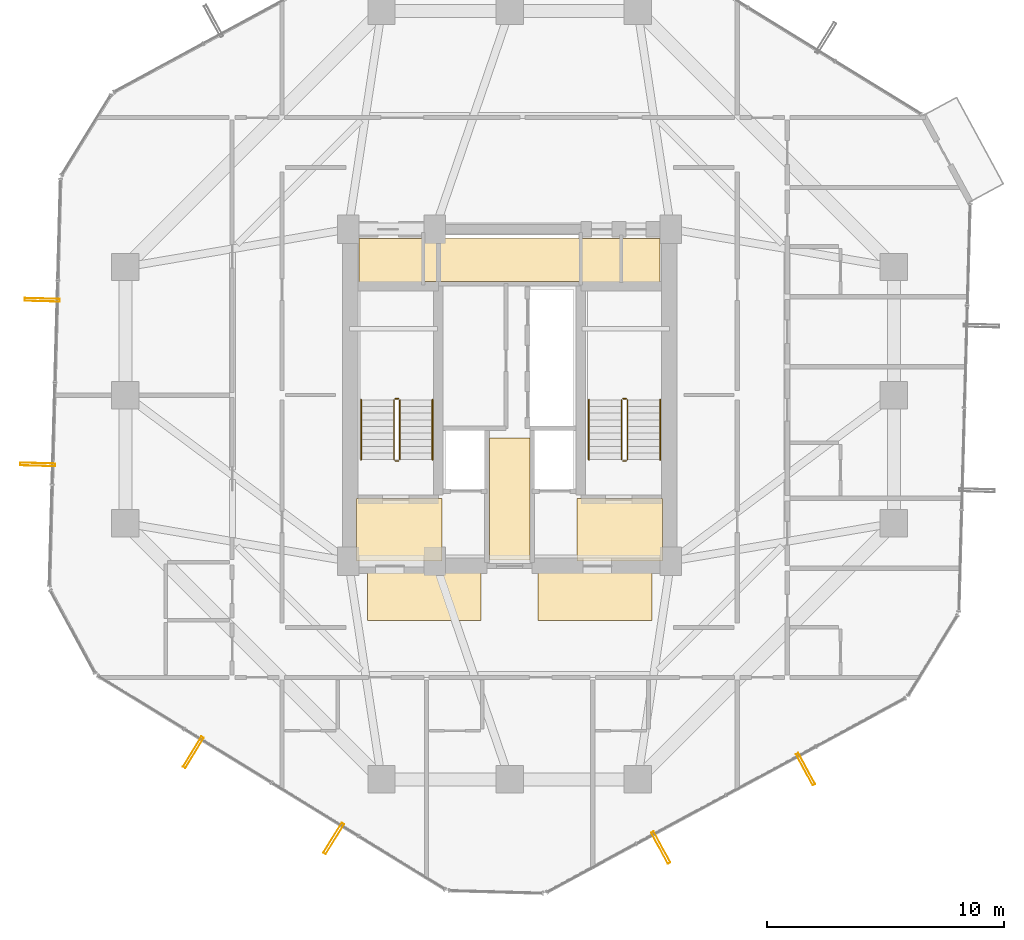
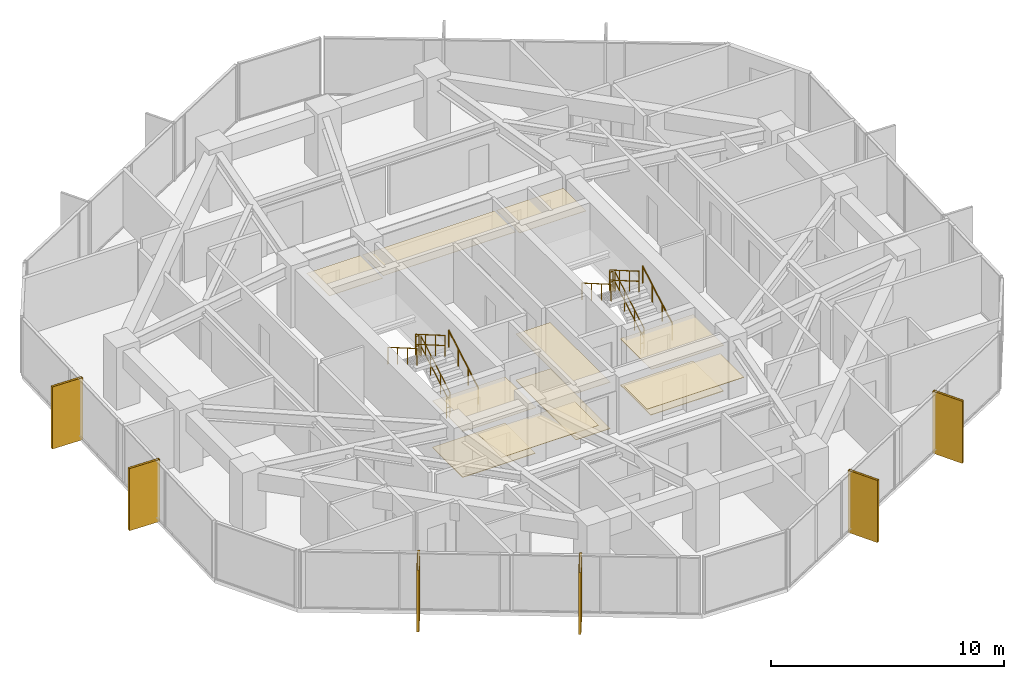
# One storey, part 29 of 30: 12 railings, 11 coverings, 6 shading devices.
"""IFC4 building model written with IfcOpenShell, lengths in metres."""

from ifc_helpers import new_model, si_unit, direction, frame, origin, origin_2d, place, context, subcontext, project, spatial, polyline, hollow_rectangle, circle, outline, extrude, material, layer, layer_set, material_profile, profile_set, type_object, element, save


model = new_model("IFC4")

# Units and contexts
model_context = context("Model", 3, precision=1e-05, world=origin(), true_north=direction((0.0, 1.0)))
body_context = subcontext(model_context, "Body", "Model", "MODEL_VIEW")
ifc_project = project(units=[si_unit("LENGTHUNIT", "METRE"), si_unit("AREAUNIT", "SQUARE_METRE"), si_unit("VOLUMEUNIT", "CUBIC_METRE"), si_unit("PLANEANGLEUNIT", "RADIAN"), si_unit("MASSUNIT", "GRAM", prefix="KILO")], contexts=[model_context])

# Site, building, storey
site_placement = place(None, origin())
site = spatial("IfcSite", under=ifc_project, at=site_placement, CompositionType="ELEMENT")
building_placement = place(site_placement, origin())
building = spatial("IfcBuilding", under=site, at=building_placement, Name="Veraguas Prism Commons", CompositionType="ELEMENT")
storey_placement = place(building_placement, frame((0.0, 0.0, 123.0)))
storey = spatial("IfcBuildingStorey", under=building, at=storey_placement, Name="L34", CompositionType="ELEMENT", Elevation=123.0)

# Shading devices
ifc_material_1 = material(Name="Anodised aluminium EN AW-6063 T6", Category="aluminium")
ifc_material_profile = material_profile(ifc_material_1, hollow_rectangle(XDim=0.1201171875, YDim=1.489990234375, WallThickness=0.006103515625, at=origin_2d()), Name="FIN120X1490X6")
ifc_profile_set = profile_set([ifc_material_profile], Name="Anodised aluminium EN AW-6063 T6")
shading_device_type = type_object("IfcShadingDeviceType", Name="Deep Pale-Metal Vertical Solar Fin 120x1490", PredefinedType="USERDEFINED", material=ifc_profile_set)
for number, where, z_axis, x_axis, name in (
    (1, (4.2958984375, 28.015625, -0.22998046875), (0.0, 0.0, 1.0), (-0.027572707275, -0.999619800631, 0.0), "Vertical Pale-Metal Solar Fin L34-F3A"),
    (2, (4.1044921875, 21.07666015625, -0.22998046875), (0.0, 0.0, 1.0), (-0.027572707275, -0.999619800631, 0.0), "Vertical Pale-Metal Solar Fin L34-F3B"),
    (3, (10.670166015625, 8.943603515625, -0.22998046875), (0.0, 0.0, 1.0), (0.851908873825, -0.523690052129, 0.0), "Vertical Pale-Metal Solar Fin L34-F4A"),
    (4, (16.583984375, 5.30810546875, -0.22998046875), (0.0, 0.0, 1.0), (0.851908873825, -0.523690052129, 0.0), "Vertical Pale-Metal Solar Fin L34-F4B"),
    (5, (30.37451171875, 4.927734375, -0.22998046875), (0.0, 0.0, 1.0), (0.87948249511, 0.475931235364, 0.0), "Vertical Pale-Metal Solar Fin L34-F5A"),
    (6, (36.4794921875, 8.231689453125, -0.22998046875), (0.0, 0.0, 1.0), (0.87948249511, 0.475931235364, 0.0), "Vertical Pale-Metal Solar Fin L34-F5B"),
):
    element("IfcShadingDevice", number, at=place(storey_placement, frame(where, z_axis=z_axis, x_axis=x_axis)), inside=storey, type_object=shading_device_type, Name=name, ObjectType="FIN", PredefinedType="USERDEFINED", context=body_context, shape_type="SweptSolid", body=[
        extrude(hollow_rectangle(XDim=0.1201171875, YDim=1.489990234375, WallThickness=0.006103515625, at=origin_2d()), origin(), (0.0, 0.0, 1.0), 3.25),
    ])

# Coverings
ifc_material_2 = material(Name="Acoustic gypsum board")
ifc_layer_1 = layer(ifc_material_2, 0.02490234375, Name="Perforated Acoustic Ceiling Tile 25")
ifc_layer_set_1 = layer_set([ifc_layer_1], Name="Acoustic gypsum board")
covering_type_1 = type_object("IfcCoveringType", Name="Perforated Acoustic Ceiling Tile 25", PredefinedType="USERDEFINED", material=ifc_layer_set_1)
covering_1_placement = place(storey_placement, frame((0.0, 0.0, 2.425048828125)))
element("IfcCovering", 7, at=covering_1_placement, inside=storey, type_object=covering_type_1, Name="East Lobby Acoustic Ceiling L34", ObjectType="ACOUSTIC CEILING", PredefinedType="USERDEFINED", context=body_context, shape_type="SweptSolid", body=[
    extrude(outline(polyline([(26.85009765625, 17.0), (30.449951171875, 17.0), (30.449951171875, 19.64990234375), (26.85009765625, 19.64990234375), (26.85009765625, 17.0)])), origin(), (0.0, 0.0, 1.0), 0.02490234375),
])
ifc_material_3 = material(Name="Terrazzo stone finish", Category="masonry")
ifc_layer_2 = layer(ifc_material_3, 0.030029296875, Name="Polished Terrazzo Floor Finish 30", Category="masonry")
ifc_layer_set_2 = layer_set([ifc_layer_2], Name="Terrazzo stone finish")
covering_type_2 = type_object("IfcCoveringType", Name="Polished Terrazzo Floor Finish 30", PredefinedType="FLOORING", material=ifc_layer_set_2)
covering_2_placement = place(storey_placement, origin())
element("IfcCovering", 8, at=covering_2_placement, inside=storey, type_object=covering_type_2, Name="Terrazzo Lobby Flooring L34", PredefinedType="FLOORING", context=body_context, shape_type="SweptSolid", body=[
    extrude(outline(polyline([(23.14990234375, 17.050048828125), (24.85009765625, 17.050048828125), (24.85009765625, 22.199951171875), (23.14990234375, 22.199951171875), (23.14990234375, 17.050048828125)])), origin(), (0.0, 0.0, 1.0), 0.030029296875),
])
covering_3_placement = place(storey_placement, origin())
element("IfcCovering", 9, at=covering_3_placement, inside=storey, type_object=covering_type_2, Name="West FF Lobby Terrazzo Flooring L34", PredefinedType="FLOORING", context=body_context, shape_type="SweptSolid", body=[
    extrude(outline(polyline([(17.550048828125, 17.050048828125), (21.14990234375, 17.050048828125), (21.14990234375, 19.64990234375), (17.550048828125, 19.64990234375), (17.550048828125, 17.050048828125)])), origin(), (0.0, 0.0, 1.0), 0.030029296875),
])
covering_4_placement = place(storey_placement, origin())
element("IfcCovering", 10, at=covering_4_placement, inside=storey, type_object=covering_type_2, Name="East FF Lobby Terrazzo Flooring L34", PredefinedType="FLOORING", context=body_context, shape_type="SweptSolid", body=[
    extrude(outline(polyline([(26.85009765625, 17.050048828125), (30.449951171875, 17.050048828125), (30.449951171875, 19.64990234375), (26.85009765625, 19.64990234375), (26.85009765625, 17.050048828125)])), origin(), (0.0, 0.0, 1.0), 0.030029296875),
])

# Railings
ifc_material_4 = material(Name="Stainless steel AISI 316", Category="steel")
railing_type_1 = type_object("IfcRailingType", Name="Stair and Ramp Stainless Handrail 900", PredefinedType="HANDRAIL", material=ifc_material_4)
railing_1_placement = place(storey_placement, frame((20.75, 21.280029296875, 0.16259765625)))
element("IfcRailing", 11, at=railing_1_placement, inside=storey, type_object=railing_type_1, Name="Stair Handrail ST-01 L34-1", PredefinedType="HANDRAIL", context=body_context, shape_type="SweptSolid", body=[
    extrude(circle(Radius=0.02392578125, at=origin_2d()), frame((0.0, 0.0, 0.8759765625), z_axis=(0.0, 0.864913338283, 0.50192122615), x_axis=(-1.0, 0.0, 0.0)), (0.0, 0.0, 1.0), 2.91357421875),
    extrude(circle(Radius=0.02099609375, at=origin_2d()), origin(), (0.0, 0.0, 1.0), 0.851806640625),
    extrude(circle(Radius=0.02099609375, at=origin_2d()), frame((0.0, 0.840087890625, 0.487548828125)), (0.0, 0.0, 1.0), 0.851806640625),
    extrude(circle(Radius=0.02099609375, at=origin_2d()), frame((0.0, 1.679931640625, 0.974853515625)), (0.0, 0.0, 1.0), 0.851806640625),
    extrude(circle(Radius=0.02099609375, at=origin_2d()), frame((0.0, 2.52001953125, 1.46240234375)), (0.0, 0.0, 1.0), 0.851806640625),
])
railing_2_placement = place(storey_placement, frame((17.739990234375, 23.800048828125, 1.78759765625)))
element("IfcRailing", 12, at=railing_2_placement, inside=storey, type_object=railing_type_1, Name="Stair Handrail ST-01 L34-2", PredefinedType="HANDRAIL", context=body_context, shape_type="SweptSolid", body=[
    extrude(circle(Radius=0.02392578125, at=origin_2d()), frame((0.0, 0.0, 0.8759765625), z_axis=(0.0, -0.864913338283, 0.50192122615), x_axis=(1.0, 0.0, 0.0)), (0.0, 0.0, 1.0), 2.91357421875),
    extrude(circle(Radius=0.02099609375, at=origin_2d()), origin(), (0.0, 0.0, 1.0), 0.851806640625),
    extrude(circle(Radius=0.02099609375, at=origin_2d()), frame((0.0, -0.840087890625, 0.487548828125)), (0.0, 0.0, 1.0), 0.851806640625),
    extrude(circle(Radius=0.02099609375, at=origin_2d()), frame((0.0, -1.679931640625, 0.974853515625)), (0.0, 0.0, 1.0), 0.851806640625),
    extrude(circle(Radius=0.02099609375, at=origin_2d()), frame((0.0, -2.52001953125, 1.46240234375)), (0.0, 0.0, 1.0), 0.851806640625),
])
railing_3_placement = place(storey_placement, frame((30.35009765625, 21.280029296875, 0.16259765625)))
element("IfcRailing", 13, at=railing_3_placement, inside=storey, type_object=railing_type_1, Name="Stair Handrail ST-02 L34-1", PredefinedType="HANDRAIL", context=body_context, shape_type="SweptSolid", body=[
    extrude(circle(Radius=0.02392578125, at=origin_2d()), frame((0.0, 0.0, 0.8759765625), z_axis=(0.0, 0.864913338283, 0.50192122615), x_axis=(-1.0, 0.0, 0.0)), (0.0, 0.0, 1.0), 2.91357421875),
    extrude(circle(Radius=0.02099609375, at=origin_2d()), origin(), (0.0, 0.0, 1.0), 0.851806640625),
    extrude(circle(Radius=0.02099609375, at=origin_2d()), frame((0.0, 0.840087890625, 0.487548828125)), (0.0, 0.0, 1.0), 0.851806640625),
    extrude(circle(Radius=0.02099609375, at=origin_2d()), frame((0.0, 1.679931640625, 0.974853515625)), (0.0, 0.0, 1.0), 0.851806640625),
    extrude(circle(Radius=0.02099609375, at=origin_2d()), frame((0.0, 2.52001953125, 1.46240234375)), (0.0, 0.0, 1.0), 0.851806640625),
])
railing_4_placement = place(storey_placement, frame((27.340087890625, 23.800048828125, 1.78759765625)))
element("IfcRailing", 14, at=railing_4_placement, inside=storey, type_object=railing_type_1, Name="Stair Handrail ST-02 L34-2", PredefinedType="HANDRAIL", context=body_context, shape_type="SweptSolid", body=[
    extrude(circle(Radius=0.02392578125, at=origin_2d()), frame((0.0, 0.0, 0.8759765625), z_axis=(0.0, -0.864913338283, 0.50192122615), x_axis=(1.0, 0.0, 0.0)), (0.0, 0.0, 1.0), 2.91357421875),
    extrude(circle(Radius=0.02099609375, at=origin_2d()), origin(), (0.0, 0.0, 1.0), 0.851806640625),
    extrude(circle(Radius=0.02099609375, at=origin_2d()), frame((0.0, -0.840087890625, 0.487548828125)), (0.0, 0.0, 1.0), 0.851806640625),
    extrude(circle(Radius=0.02099609375, at=origin_2d()), frame((0.0, -1.679931640625, 0.974853515625)), (0.0, 0.0, 1.0), 0.851806640625),
    extrude(circle(Radius=0.02099609375, at=origin_2d()), frame((0.0, -2.52001953125, 1.46240234375)), (0.0, 0.0, 1.0), 0.851806640625),
])
railing_type_2 = type_object("IfcRailingType", Name="Stairwell Safety Guardrail 1100", PredefinedType="GUARDRAIL", material=ifc_material_4)
railing_5_placement = place(storey_placement, frame((19.3701171875, 21.280029296875, 0.16259765625)))
element("IfcRailing", 15, at=railing_5_placement, inside=storey, type_object=railing_type_2, Name="Stair Guard ST-01 L34-1", PredefinedType="GUARDRAIL", context=body_context, shape_type="SweptSolid", body=[
    extrude(circle(Radius=0.02392578125, at=origin_2d()), frame((0.0, 0.0, 1.076171875), z_axis=(0.0, 0.864913338283, 0.50192122615), x_axis=(-1.0, 0.0, 0.0)), (0.0, 0.0, 1.0), 2.91357421875),
    extrude(circle(Radius=0.02392578125, at=origin_2d()), frame((0.0, 0.0, 0.550048828125), z_axis=(0.0, 0.864913338283, 0.50192122615), x_axis=(-1.0, 0.0, 0.0)), (0.0, 0.0, 1.0), 2.91357421875),
    extrude(circle(Radius=0.02099609375, at=origin_2d()), origin(), (0.0, 0.0, 1.0), 1.052001953125),
    extrude(circle(Radius=0.02099609375, at=origin_2d()), frame((0.0, 0.840087890625, 0.487548828125)), (0.0, 0.0, 1.0), 1.052001953125),
    extrude(circle(Radius=0.02099609375, at=origin_2d()), frame((0.0, 1.679931640625, 0.974853515625)), (0.0, 0.0, 1.0), 1.052001953125),
    extrude(circle(Radius=0.02099609375, at=origin_2d()), frame((0.0, 2.52001953125, 1.46240234375)), (0.0, 0.0, 1.0), 1.052001953125),
])
railing_6_placement = place(storey_placement, frame((19.320068359375, 23.85009765625, 1.625)))
element("IfcRailing", 16, at=railing_6_placement, inside=storey, type_object=railing_type_2, Name="Stair Guard ST-01 L34-2", PredefinedType="GUARDRAIL", context=body_context, shape_type="SweptSolid", body=[
    extrude(circle(Radius=0.02392578125, at=origin_2d()), frame((0.0, 0.0, 1.076171875), z_axis=(-1.0, 0.0, 0.0), x_axis=(0.0, -1.0, 0.0)), (0.0, 0.0, 1.0), 0.150146484375),
    extrude(circle(Radius=0.02392578125, at=origin_2d()), frame((0.0, 0.0, 0.550048828125), z_axis=(-1.0, 0.0, 0.0), x_axis=(0.0, -1.0, 0.0)), (0.0, 0.0, 1.0), 0.150146484375),
    extrude(circle(Radius=0.02099609375, at=origin_2d()), origin(), (0.0, 0.0, 1.0), 1.052001953125),
    extrude(circle(Radius=0.02099609375, at=origin_2d()), frame((-0.150146484375, 0.0, 0.0)), (0.0, 0.0, 1.0), 1.052001953125),
])
railing_7_placement = place(storey_placement, frame((19.1201171875, 23.800048828125, 1.78759765625)))
element("IfcRailing", 17, at=railing_7_placement, inside=storey, type_object=railing_type_2, Name="Stair Guard ST-01 L34-3", PredefinedType="GUARDRAIL", context=body_context, shape_type="SweptSolid", body=[
    extrude(circle(Radius=0.02392578125, at=origin_2d()), frame((0.0, 0.0, 1.076171875), z_axis=(0.0, -0.864913338283, 0.50192122615), x_axis=(1.0, 0.0, 0.0)), (0.0, 0.0, 1.0), 2.91357421875),
    extrude(circle(Radius=0.02392578125, at=origin_2d()), frame((0.0, 0.0, 0.550048828125), z_axis=(0.0, -0.864913338283, 0.50192122615), x_axis=(1.0, 0.0, 0.0)), (0.0, 0.0, 1.0), 2.91357421875),
    extrude(circle(Radius=0.02099609375, at=origin_2d()), origin(), (0.0, 0.0, 1.0), 1.052001953125),
    extrude(circle(Radius=0.02099609375, at=origin_2d()), frame((0.0, -0.840087890625, 0.487548828125)), (0.0, 0.0, 1.0), 1.052001953125),
    extrude(circle(Radius=0.02099609375, at=origin_2d()), frame((0.0, -1.679931640625, 0.974853515625)), (0.0, 0.0, 1.0), 1.052001953125),
    extrude(circle(Radius=0.02099609375, at=origin_2d()), frame((0.0, -2.52001953125, 1.46240234375)), (0.0, 0.0, 1.0), 1.052001953125),
])
railing_8_placement = place(storey_placement, frame((19.320068359375, 21.22998046875, 0.0)))
element("IfcRailing", 18, at=railing_8_placement, inside=storey, type_object=railing_type_2, Name="Stair Guard ST-01 L34-4", PredefinedType="GUARDRAIL", context=body_context, shape_type="SweptSolid", body=[
    extrude(circle(Radius=0.02392578125, at=origin_2d()), frame((0.0, 0.0, 1.076171875), z_axis=(-1.0, 0.0, 0.0), x_axis=(0.0, -1.0, 0.0)), (0.0, 0.0, 1.0), 0.150146484375),
    extrude(circle(Radius=0.02392578125, at=origin_2d()), frame((0.0, 0.0, 0.550048828125), z_axis=(-1.0, 0.0, 0.0), x_axis=(0.0, -1.0, 0.0)), (0.0, 0.0, 1.0), 0.150146484375),
    extrude(circle(Radius=0.02099609375, at=origin_2d()), origin(), (0.0, 0.0, 1.0), 1.052001953125),
    extrude(circle(Radius=0.02099609375, at=origin_2d()), frame((-0.150146484375, 0.0, 0.0)), (0.0, 0.0, 1.0), 1.052001953125),
])
railing_9_placement = place(storey_placement, frame((28.969970703125, 21.280029296875, 0.16259765625)))
element("IfcRailing", 19, at=railing_9_placement, inside=storey, type_object=railing_type_2, Name="Stair Guard ST-02 L34-1", PredefinedType="GUARDRAIL", context=body_context, shape_type="SweptSolid", body=[
    extrude(circle(Radius=0.02392578125, at=origin_2d()), frame((0.0, 0.0, 1.076171875), z_axis=(0.0, 0.864913338283, 0.50192122615), x_axis=(-1.0, 0.0, 0.0)), (0.0, 0.0, 1.0), 2.91357421875),
    extrude(circle(Radius=0.02392578125, at=origin_2d()), frame((0.0, 0.0, 0.550048828125), z_axis=(0.0, 0.864913338283, 0.50192122615), x_axis=(-1.0, 0.0, 0.0)), (0.0, 0.0, 1.0), 2.91357421875),
    extrude(circle(Radius=0.02099609375, at=origin_2d()), origin(), (0.0, 0.0, 1.0), 1.052001953125),
    extrude(circle(Radius=0.02099609375, at=origin_2d()), frame((0.0, 0.840087890625, 0.487548828125)), (0.0, 0.0, 1.0), 1.052001953125),
    extrude(circle(Radius=0.02099609375, at=origin_2d()), frame((0.0, 1.679931640625, 0.974853515625)), (0.0, 0.0, 1.0), 1.052001953125),
    extrude(circle(Radius=0.02099609375, at=origin_2d()), frame((0.0, 2.52001953125, 1.46240234375)), (0.0, 0.0, 1.0), 1.052001953125),
])
railing_10_placement = place(storey_placement, frame((28.919921875, 23.85009765625, 1.625)))
element("IfcRailing", 20, at=railing_10_placement, inside=storey, type_object=railing_type_2, Name="Stair Guard ST-02 L34-2", PredefinedType="GUARDRAIL", context=body_context, shape_type="SweptSolid", body=[
    extrude(circle(Radius=0.02392578125, at=origin_2d()), frame((0.0, 0.0, 1.076171875), z_axis=(-1.0, 0.0, 0.0), x_axis=(0.0, -1.0, 0.0)), (0.0, 0.0, 1.0), 0.14990234375),
    extrude(circle(Radius=0.02392578125, at=origin_2d()), frame((0.0, 0.0, 0.550048828125), z_axis=(-1.0, 0.0, 0.0), x_axis=(0.0, -1.0, 0.0)), (0.0, 0.0, 1.0), 0.14990234375),
    extrude(circle(Radius=0.02099609375, at=origin_2d()), origin(), (0.0, 0.0, 1.0), 1.052001953125),
    extrude(circle(Radius=0.02099609375, at=origin_2d()), frame((-0.14990234375, 0.0, 0.0)), (0.0, 0.0, 1.0), 1.052001953125),
])
railing_11_placement = place(storey_placement, frame((28.719970703125, 23.800048828125, 1.78759765625)))
element("IfcRailing", 21, at=railing_11_placement, inside=storey, type_object=railing_type_2, Name="Stair Guard ST-02 L34-3", PredefinedType="GUARDRAIL", context=body_context, shape_type="SweptSolid", body=[
    extrude(circle(Radius=0.02392578125, at=origin_2d()), frame((0.0, 0.0, 1.076171875), z_axis=(0.0, -0.864913338283, 0.50192122615), x_axis=(1.0, 0.0, 0.0)), (0.0, 0.0, 1.0), 2.91357421875),
    extrude(circle(Radius=0.02392578125, at=origin_2d()), frame((0.0, 0.0, 0.550048828125), z_axis=(0.0, -0.864913338283, 0.50192122615), x_axis=(1.0, 0.0, 0.0)), (0.0, 0.0, 1.0), 2.91357421875),
    extrude(circle(Radius=0.02099609375, at=origin_2d()), origin(), (0.0, 0.0, 1.0), 1.052001953125),
    extrude(circle(Radius=0.02099609375, at=origin_2d()), frame((0.0, -0.840087890625, 0.487548828125)), (0.0, 0.0, 1.0), 1.052001953125),
    extrude(circle(Radius=0.02099609375, at=origin_2d()), frame((0.0, -1.679931640625, 0.974853515625)), (0.0, 0.0, 1.0), 1.052001953125),
    extrude(circle(Radius=0.02099609375, at=origin_2d()), frame((0.0, -2.52001953125, 1.46240234375)), (0.0, 0.0, 1.0), 1.052001953125),
])
railing_12_placement = place(storey_placement, frame((28.919921875, 21.22998046875, 0.0)))
element("IfcRailing", 22, at=railing_12_placement, inside=storey, type_object=railing_type_2, Name="Stair Guard ST-02 L34-4", PredefinedType="GUARDRAIL", context=body_context, shape_type="SweptSolid", body=[
    extrude(circle(Radius=0.02392578125, at=origin_2d()), frame((0.0, 0.0, 1.076171875), z_axis=(-1.0, 0.0, 0.0), x_axis=(0.0, -1.0, 0.0)), (0.0, 0.0, 1.0), 0.14990234375),
    extrude(circle(Radius=0.02392578125, at=origin_2d()), frame((0.0, 0.0, 0.550048828125), z_axis=(-1.0, 0.0, 0.0), x_axis=(0.0, -1.0, 0.0)), (0.0, 0.0, 1.0), 0.14990234375),
    extrude(circle(Radius=0.02099609375, at=origin_2d()), origin(), (0.0, 0.0, 1.0), 1.052001953125),
    extrude(circle(Radius=0.02099609375, at=origin_2d()), frame((-0.14990234375, 0.0, 0.0)), (0.0, 0.0, 1.0), 1.052001953125),
])

# Coverings
ifc_layer_3 = layer(ifc_material_2, 0.02001953125, Name="Suspended Gypsum Ceiling 20")
ifc_layer_set_3 = layer_set([ifc_layer_3], Name="Acoustic gypsum board")
covering_type_3 = type_object("IfcCoveringType", Name="Suspended Gypsum Ceiling 20", PredefinedType="CEILING", material=ifc_layer_set_3)
covering_5_placement = place(storey_placement, frame((0.0, 0.0, 2.429931640625)))
element("IfcCovering", 23, at=covering_5_placement, inside=storey, type_object=covering_type_3, Name="West Lobby Suspended Gypsum Ceiling L34", PredefinedType="CEILING", context=body_context, shape_type="SweptSolid", body=[
    extrude(outline(polyline([(17.550048828125, 17.0), (21.14990234375, 17.0), (21.14990234375, 19.64990234375), (17.550048828125, 19.64990234375), (17.550048828125, 17.0)])), origin(), (0.0, 0.0, 1.0), 0.02001953125),
])
covering_6_placement = place(storey_placement, frame((0.0, 0.0, 2.429931640625)))
element("IfcCovering", 24, at=covering_6_placement, inside=storey, type_object=covering_type_3, Name="Core Lobby Acoustic Ceiling L34-1", PredefinedType="CEILING", context=body_context, shape_type="SweptSolid", body=[
    extrude(outline(polyline([(18.0, 14.5), (22.800048828125, 14.5), (22.800048828125, 16.550048828125), (18.0, 16.550048828125), (18.0, 14.5)])), origin(), (0.0, 0.0, 1.0), 0.02001953125),
])
covering_7_placement = place(storey_placement, frame((0.0, 0.0, 2.429931640625)))
element("IfcCovering", 25, at=covering_7_placement, inside=storey, type_object=covering_type_3, Name="Core Lobby Acoustic Ceiling L34-2", PredefinedType="CEILING", context=body_context, shape_type="SweptSolid", body=[
    extrude(outline(polyline([(25.199951171875, 14.5), (30.0, 14.5), (30.0, 16.550048828125), (25.199951171875, 16.550048828125), (25.199951171875, 14.5)])), origin(), (0.0, 0.0, 1.0), 0.02001953125),
])
covering_8_placement = place(storey_placement, frame((0.0, 0.0, 2.429931640625)))
element("IfcCovering", 26, at=covering_8_placement, inside=storey, type_object=covering_type_3, Name="Core Lobby Acoustic Ceiling L34-3", PredefinedType="CEILING", context=body_context, shape_type="SweptSolid", body=[
    extrude(outline(polyline([(23.14990234375, 17.050048828125), (24.85009765625, 17.050048828125), (24.85009765625, 22.199951171875), (23.14990234375, 22.199951171875), (23.14990234375, 17.050048828125)])), origin(), (0.0, 0.0, 1.0), 0.02001953125),
])
covering_9_placement = place(storey_placement, frame((0.0, 0.0, 2.429931640625)))
element("IfcCovering", 27, at=covering_9_placement, inside=storey, type_object=covering_type_3, Name="Core Lobby Acoustic Ceiling L34-4", PredefinedType="CEILING", context=body_context, shape_type="SweptSolid", body=[
    extrude(outline(polyline([(17.64990234375, 28.64990234375), (20.300048828125, 28.64990234375), (20.300048828125, 30.60009765625), (17.64990234375, 30.60009765625), (17.64990234375, 28.64990234375)])), origin(), (0.0, 0.0, 1.0), 0.02001953125),
])
covering_10_placement = place(storey_placement, frame((0.0, 0.0, 2.429931640625)))
element("IfcCovering", 28, at=covering_10_placement, inside=storey, type_object=covering_type_3, Name="Core Lobby Acoustic Ceiling L34-5", PredefinedType="CEILING", context=body_context, shape_type="SweptSolid", body=[
    extrude(outline(polyline([(27.050048828125, 28.64990234375), (30.35009765625, 28.64990234375), (30.35009765625, 30.60009765625), (27.050048828125, 30.60009765625), (27.050048828125, 28.64990234375)])), origin(), (0.0, 0.0, 1.0), 0.02001953125),
])
covering_11_placement = place(storey_placement, frame((0.0, 0.0, 2.429931640625)))
element("IfcCovering", 29, at=covering_11_placement, inside=storey, type_object=covering_type_3, Name="Core Lobby Acoustic Ceiling L34-6", PredefinedType="CEILING", context=body_context, shape_type="SweptSolid", body=[
    extrude(outline(polyline([(20.39990234375, 28.800048828125), (26.949951171875, 28.800048828125), (26.949951171875, 30.60009765625), (20.39990234375, 30.60009765625), (20.39990234375, 28.800048828125)])), origin(), (0.0, 0.0, 1.0), 0.02001953125),
])

save(model, "model.ifc")
